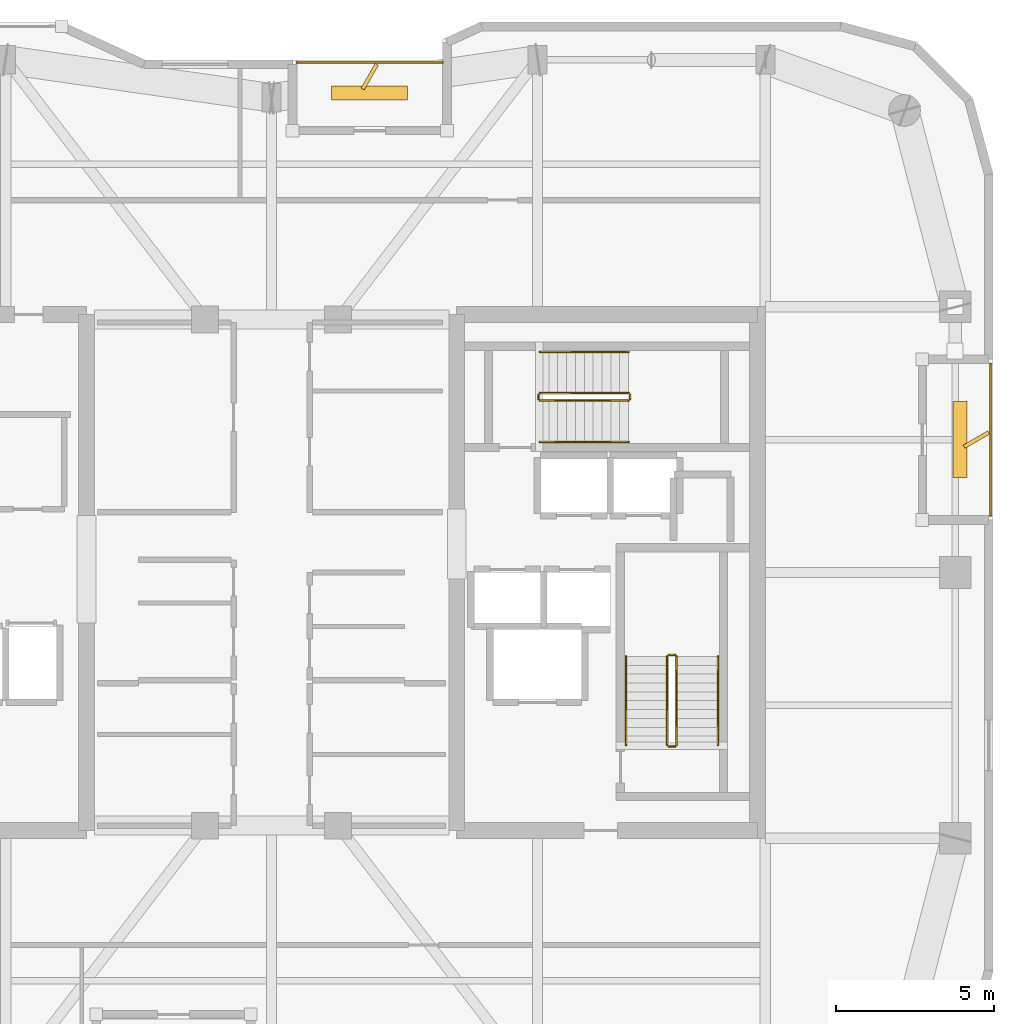
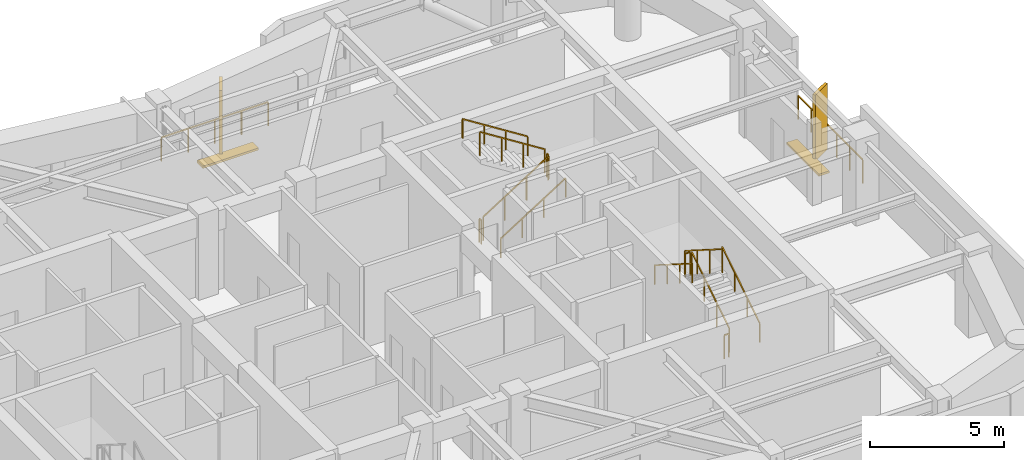
# One storey, part 15 of 15: 14 railings, 4 shading devices.
"""IFC4 building model written with IfcOpenShell, lengths in metres."""

from ifc_helpers import new_model, si_unit, direction, frame, origin, origin_2d, place, context, subcontext, project, spatial, rectangle, extrude, material, type_object, element, save


model = new_model("IFC4")

# Units and contexts
model_context = context("Model", 3, precision=1e-05, world=origin(), true_north=direction((0.0, 1.0)))
body_context = subcontext(model_context, "Body", "Model", "MODEL_VIEW")
ifc_project = project(units=[si_unit("LENGTHUNIT", "METRE"), si_unit("AREAUNIT", "SQUARE_METRE"), si_unit("VOLUMEUNIT", "CUBIC_METRE"), si_unit("PLANEANGLEUNIT", "RADIAN"), si_unit("MASSUNIT", "GRAM", prefix="KILO")], contexts=[model_context])

# Site, building, storey
site_placement = place(None, origin())
site = spatial("IfcSite", under=ifc_project, at=site_placement, CompositionType="ELEMENT")
building_placement = place(site_placement, origin())
building = spatial("IfcBuilding", under=site, at=building_placement, Name="Kiyonajd Concourse Tower", CompositionType="ELEMENT")
storey_placement = place(building_placement, frame((0.0, 0.0, 290.10009765625)))
storey = spatial("IfcBuildingStorey", under=building, at=storey_placement, Name="L73", CompositionType="ELEMENT", Elevation=290.10009765625)

# Railings
ifc_material_1 = material(Name="Thermally Broken Anodised Aluminium", Category="aluminium")
railing_type_1 = type_object("IfcRailingType", Name="RL-GRD-LOG", PredefinedType="GUARDRAIL", material=ifc_material_1)
railing_1_placement = place(storey_placement, frame((53.39990234375, 52.1201171875, 0.0)))
element("IfcRailing", 1, at=railing_1_placement, inside=storey, type_object=railing_type_1, Name="L73 Engawa Loggia Perimeter Guard LOG-N", PredefinedType="GUARDRAIL", context=body_context, shape_type="SweptSolid", body=[
    extrude(rectangle(XDim=0.048095703125, YDim=0.048095703125, at=origin_2d()), frame((0.0, 0.0, 1.076171875), z_axis=(-1.0, 0.0, 0.0), x_axis=(0.0, -1.0, 0.0)), (0.0, 0.0, 1.0), 4.599853515625),
    extrude(rectangle(XDim=0.0419921875, YDim=0.0419921875, at=origin_2d()), origin(), (0.0, 0.0, 1.0), 1.052001953125),
    extrude(rectangle(XDim=0.0419921875, YDim=0.0419921875, at=origin_2d()), frame((-1.14990234375, 0.0, 0.0)), (0.0, 0.0, 1.0), 1.052001953125),
    extrude(rectangle(XDim=0.0419921875, YDim=0.0419921875, at=origin_2d()), frame((-2.2998046875, 0.0, 0.0)), (0.0, 0.0, 1.0), 1.052001953125),
    extrude(rectangle(XDim=0.0419921875, YDim=0.0419921875, at=origin_2d()), frame((-3.449951171875, 0.0, 0.0)), (0.0, 0.0, 1.0), 1.052001953125),
    extrude(rectangle(XDim=0.0419921875, YDim=0.0419921875, at=origin_2d()), frame((-4.599853515625, 0.0, 0.0)), (0.0, 0.0, 1.0), 1.052001953125),
])
railing_2_placement = place(storey_placement, frame((70.719970703125, 37.800048828125, 0.0)))
element("IfcRailing", 2, at=railing_2_placement, inside=storey, type_object=railing_type_1, Name="L73 Engawa Loggia Perimeter Guard LOG-E", PredefinedType="GUARDRAIL", context=body_context, shape_type="SweptSolid", body=[
    extrude(rectangle(XDim=0.048095703125, YDim=0.048095703125, at=origin_2d()), frame((0.0, 0.0, 1.076171875), z_axis=(0.0, 1.0, 0.0), x_axis=(-1.0, 0.0, 0.0)), (0.0, 0.0, 1.0), 4.800048828125),
    extrude(rectangle(XDim=0.0419921875, YDim=0.0419921875, at=origin_2d()), origin(), (0.0, 0.0, 1.0), 1.052001953125),
    extrude(rectangle(XDim=0.0419921875, YDim=0.0419921875, at=origin_2d()), frame((0.0, 0.9599609375, 0.0)), (0.0, 0.0, 1.0), 1.052001953125),
    extrude(rectangle(XDim=0.0419921875, YDim=0.0419921875, at=origin_2d()), frame((0.0, 1.919921875, 0.0)), (0.0, 0.0, 1.0), 1.052001953125),
    extrude(rectangle(XDim=0.0419921875, YDim=0.0419921875, at=origin_2d()), frame((0.0, 2.880126953125, 0.0)), (0.0, 0.0, 1.0), 1.052001953125),
    extrude(rectangle(XDim=0.0419921875, YDim=0.0419921875, at=origin_2d()), frame((0.0, 3.840087890625, 0.0)), (0.0, 0.0, 1.0), 1.052001953125),
    extrude(rectangle(XDim=0.0419921875, YDim=0.0419921875, at=origin_2d()), frame((0.0, 4.800048828125, 0.0)), (0.0, 0.0, 1.0), 1.052001953125),
])
ifc_material_2 = material(Name="Steel ASTM A500 Grade C", Category="steel")
railing_type_2 = type_object("IfcRailingType", Name="RL-GRD-STR", PredefinedType="GUARDRAIL", material=ifc_material_2)
railing_3_placement = place(storey_placement, frame((60.800048828125, 30.550048828125, 0.17724609375)))
element("IfcRailing", 3, at=railing_3_placement, inside=storey, type_object=railing_type_2, Name="L73 ST2 stair guard 1", PredefinedType="GUARDRAIL", context=body_context, shape_type="SweptSolid", body=[
    extrude(rectangle(XDim=0.048095703125, YDim=0.048095703125, at=origin_2d()), frame((0.0, 0.0, 1.076171875), z_axis=(0.0, 0.844908973607, 0.534910110503), x_axis=(-1.0, 0.0, 0.0)), (0.0, 0.0, 1.0), 3.31396484375),
    extrude(rectangle(XDim=0.0419921875, YDim=0.0419921875, at=origin_2d()), origin(), (0.0, 0.0, 1.0), 1.052001953125),
    extrude(rectangle(XDim=0.0419921875, YDim=0.0419921875, at=origin_2d()), frame((0.0, 0.933349609375, 0.5908203125)), (0.0, 0.0, 1.0), 1.052001953125),
    extrude(rectangle(XDim=0.0419921875, YDim=0.0419921875, at=origin_2d()), frame((0.0, 1.86669921875, 1.181884765625)), (0.0, 0.0, 1.0), 1.052001953125),
    extrude(rectangle(XDim=0.0419921875, YDim=0.0419921875, at=origin_2d()), frame((0.0, 2.800048828125, 1.772705078125)), (0.0, 0.0, 1.0), 1.052001953125),
])
railing_4_placement = place(storey_placement, frame((60.75, 33.39990234375, 1.949951171875)))
element("IfcRailing", 4, at=railing_4_placement, inside=storey, type_object=railing_type_2, Name="L73 ST2 stair guard 2", PredefinedType="GUARDRAIL", context=body_context, shape_type="SweptSolid", body=[
    extrude(rectangle(XDim=0.048095703125, YDim=0.048095703125, at=origin_2d()), frame((0.0, 0.0, 1.076171875), z_axis=(-1.0, 0.0, 0.0), x_axis=(0.0, -1.0, 0.0)), (0.0, 0.0, 1.0), 0.199951171875),
    extrude(rectangle(XDim=0.0419921875, YDim=0.0419921875, at=origin_2d()), origin(), (0.0, 0.0, 1.0), 1.052001953125),
    extrude(rectangle(XDim=0.0419921875, YDim=0.0419921875, at=origin_2d()), frame((-0.199951171875, 0.0, 0.0)), (0.0, 0.0, 1.0), 1.052001953125),
])
railing_5_placement = place(storey_placement, frame((60.5, 33.35009765625, 2.127197265625)))
element("IfcRailing", 5, at=railing_5_placement, inside=storey, type_object=railing_type_2, Name="L73 ST2 stair guard 3", PredefinedType="GUARDRAIL", context=body_context, shape_type="SweptSolid", body=[
    extrude(rectangle(XDim=0.048095703125, YDim=0.048095703125, at=origin_2d()), frame((0.0, 0.0, 1.076171875), z_axis=(0.0, -0.844908973607, 0.534910110503), x_axis=(1.0, 0.0, 0.0)), (0.0, 0.0, 1.0), 3.31396484375),
    extrude(rectangle(XDim=0.0419921875, YDim=0.0419921875, at=origin_2d()), origin(), (0.0, 0.0, 1.0), 1.052001953125),
    extrude(rectangle(XDim=0.0419921875, YDim=0.0419921875, at=origin_2d()), frame((0.0, -0.933349609375, 0.5908203125)), (0.0, 0.0, 1.0), 1.052001953125),
    extrude(rectangle(XDim=0.0419921875, YDim=0.0419921875, at=origin_2d()), frame((0.0, -1.86669921875, 1.181884765625)), (0.0, 0.0, 1.0), 1.052001953125),
    extrude(rectangle(XDim=0.0419921875, YDim=0.0419921875, at=origin_2d()), frame((0.0, -2.800048828125, 1.772705078125)), (0.0, 0.0, 1.0), 1.052001953125),
])
railing_6_placement = place(storey_placement, frame((60.75, 30.5, 0.0)))
element("IfcRailing", 6, at=railing_6_placement, inside=storey, type_object=railing_type_2, Name="L73 ST2 stair guard 4", PredefinedType="GUARDRAIL", context=body_context, shape_type="SweptSolid", body=[
    extrude(rectangle(XDim=0.048095703125, YDim=0.048095703125, at=origin_2d()), frame((0.0, 0.0, 1.076171875), z_axis=(-1.0, 0.0, 0.0), x_axis=(0.0, -1.0, 0.0)), (0.0, 0.0, 1.0), 0.199951171875),
    extrude(rectangle(XDim=0.0419921875, YDim=0.0419921875, at=origin_2d()), origin(), (0.0, 0.0, 1.0), 1.052001953125),
    extrude(rectangle(XDim=0.0419921875, YDim=0.0419921875, at=origin_2d()), frame((-0.199951171875, 0.0, 0.0)), (0.0, 0.0, 1.0), 1.052001953125),
])
railing_7_placement = place(storey_placement, frame((56.47998046875, 41.429931640625, 0.17724609375)))
element("IfcRailing", 7, at=railing_7_placement, inside=storey, type_object=railing_type_2, Name="L73 ST3 stair guard 1", PredefinedType="GUARDRAIL", context=body_context, shape_type="SweptSolid", body=[
    extrude(rectangle(XDim=0.048095703125, YDim=0.048095703125, at=origin_2d()), frame((0.0, 0.0, 1.076171875), z_axis=(0.844908973607, 0.0, 0.534910110503), x_axis=(0.0, 1.0, 0.0)), (0.0, 0.0, 1.0), 3.31396484375),
    extrude(rectangle(XDim=0.0419921875, YDim=0.0419921875, at=origin_2d()), origin(), (0.0, 0.0, 1.0), 1.052001953125),
    extrude(rectangle(XDim=0.0419921875, YDim=0.0419921875, at=origin_2d()), frame((0.933349609375, 0.0, 0.5908203125)), (0.0, 0.0, 1.0), 1.052001953125),
    extrude(rectangle(XDim=0.0419921875, YDim=0.0419921875, at=origin_2d()), frame((1.86669921875, 0.0, 1.181884765625)), (0.0, 0.0, 1.0), 1.052001953125),
    extrude(rectangle(XDim=0.0419921875, YDim=0.0419921875, at=origin_2d()), frame((2.800048828125, 0.0, 1.772705078125)), (0.0, 0.0, 1.0), 1.052001953125),
])
railing_8_placement = place(storey_placement, frame((59.330078125, 41.47998046875, 1.949951171875)))
element("IfcRailing", 8, at=railing_8_placement, inside=storey, type_object=railing_type_2, Name="L73 ST3 stair guard 2", PredefinedType="GUARDRAIL", context=body_context, shape_type="SweptSolid", body=[
    extrude(rectangle(XDim=0.048095703125, YDim=0.048095703125, at=origin_2d()), frame((0.0, 0.0, 1.076171875), z_axis=(0.0, 1.0, 0.0), x_axis=(-1.0, 0.0, 0.0)), (0.0, 0.0, 1.0), 0.14013671875),
    extrude(rectangle(XDim=0.0419921875, YDim=0.0419921875, at=origin_2d()), origin(), (0.0, 0.0, 1.0), 1.052001953125),
    extrude(rectangle(XDim=0.0419921875, YDim=0.0419921875, at=origin_2d()), frame((0.0, 0.14013671875, 0.0)), (0.0, 0.0, 1.0), 1.052001953125),
])
railing_9_placement = place(storey_placement, frame((59.280029296875, 41.669921875, 2.127197265625)))
element("IfcRailing", 9, at=railing_9_placement, inside=storey, type_object=railing_type_2, Name="L73 ST3 stair guard 3", PredefinedType="GUARDRAIL", context=body_context, shape_type="SweptSolid", body=[
    extrude(rectangle(XDim=0.048095703125, YDim=0.048095703125, at=origin_2d()), frame((0.0, 0.0, 1.076171875), z_axis=(-0.844908973607, 0.0, 0.534910110503), x_axis=(0.0, -1.0, 0.0)), (0.0, 0.0, 1.0), 3.31396484375),
    extrude(rectangle(XDim=0.0419921875, YDim=0.0419921875, at=origin_2d()), origin(), (0.0, 0.0, 1.0), 1.052001953125),
    extrude(rectangle(XDim=0.0419921875, YDim=0.0419921875, at=origin_2d()), frame((-0.933349609375, 0.0, 0.5908203125)), (0.0, 0.0, 1.0), 1.052001953125),
    extrude(rectangle(XDim=0.0419921875, YDim=0.0419921875, at=origin_2d()), frame((-1.86669921875, 0.0, 1.181884765625)), (0.0, 0.0, 1.0), 1.052001953125),
    extrude(rectangle(XDim=0.0419921875, YDim=0.0419921875, at=origin_2d()), frame((-2.800048828125, 0.0, 1.772705078125)), (0.0, 0.0, 1.0), 1.052001953125),
])
railing_10_placement = place(storey_placement, frame((56.429931640625, 41.47998046875, 0.0)))
element("IfcRailing", 10, at=railing_10_placement, inside=storey, type_object=railing_type_2, Name="L73 ST3 stair guard 4", PredefinedType="GUARDRAIL", context=body_context, shape_type="SweptSolid", body=[
    extrude(rectangle(XDim=0.048095703125, YDim=0.048095703125, at=origin_2d()), frame((0.0, 0.0, 1.076171875), z_axis=(0.0, 1.0, 0.0), x_axis=(-1.0, 0.0, 0.0)), (0.0, 0.0, 1.0), 0.14013671875),
    extrude(rectangle(XDim=0.0419921875, YDim=0.0419921875, at=origin_2d()), origin(), (0.0, 0.0, 1.0), 1.052001953125),
    extrude(rectangle(XDim=0.0419921875, YDim=0.0419921875, at=origin_2d()), frame((0.0, 0.14013671875, 0.0)), (0.0, 0.0, 1.0), 1.052001953125),
])
ifc_material_3 = material(Name="Brushed Stainless Steel Cab Assembly", Category="steel")
railing_type_3 = type_object("IfcRailingType", Name="RL-HND-900", PredefinedType="HANDRAIL", material=ifc_material_3)
railing_11_placement = place(storey_placement, frame((62.10009765625, 30.550048828125, 0.17724609375)))
element("IfcRailing", 11, at=railing_11_placement, inside=storey, type_object=railing_type_3, Name="L73 ST2 stair handrail 1", PredefinedType="HANDRAIL", context=body_context, shape_type="SweptSolid", body=[
    extrude(rectangle(XDim=0.048095703125, YDim=0.048095703125, at=origin_2d()), frame((0.0, 0.0, 0.8759765625), z_axis=(0.0, 0.844908973607, 0.534910110503), x_axis=(-1.0, 0.0, 0.0)), (0.0, 0.0, 1.0), 3.31396484375),
    extrude(rectangle(XDim=0.0419921875, YDim=0.0419921875, at=origin_2d()), origin(), (0.0, 0.0, 1.0), 0.851806640625),
    extrude(rectangle(XDim=0.0419921875, YDim=0.0419921875, at=origin_2d()), frame((0.0, 0.933349609375, 0.5908203125)), (0.0, 0.0, 1.0), 0.851806640625),
    extrude(rectangle(XDim=0.0419921875, YDim=0.0419921875, at=origin_2d()), frame((0.0, 1.86669921875, 1.181884765625)), (0.0, 0.0, 1.0), 0.851806640625),
    extrude(rectangle(XDim=0.0419921875, YDim=0.0419921875, at=origin_2d()), frame((0.0, 2.800048828125, 1.772705078125)), (0.0, 0.0, 1.0), 0.851806640625),
])
railing_12_placement = place(storey_placement, frame((59.199951171875, 33.35009765625, 2.127197265625)))
element("IfcRailing", 12, at=railing_12_placement, inside=storey, type_object=railing_type_3, Name="L73 ST2 stair handrail 2", PredefinedType="HANDRAIL", context=body_context, shape_type="SweptSolid", body=[
    extrude(rectangle(XDim=0.048095703125, YDim=0.048095703125, at=origin_2d()), frame((0.0, 0.0, 0.8759765625), z_axis=(0.0, -0.844908973607, 0.534910110503), x_axis=(1.0, 0.0, 0.0)), (0.0, 0.0, 1.0), 3.31396484375),
    extrude(rectangle(XDim=0.0419921875, YDim=0.0419921875, at=origin_2d()), origin(), (0.0, 0.0, 1.0), 0.851806640625),
    extrude(rectangle(XDim=0.0419921875, YDim=0.0419921875, at=origin_2d()), frame((0.0, -0.933349609375, 0.5908203125)), (0.0, 0.0, 1.0), 0.851806640625),
    extrude(rectangle(XDim=0.0419921875, YDim=0.0419921875, at=origin_2d()), frame((0.0, -1.86669921875, 1.181884765625)), (0.0, 0.0, 1.0), 0.851806640625),
    extrude(rectangle(XDim=0.0419921875, YDim=0.0419921875, at=origin_2d()), frame((0.0, -2.800048828125, 1.772705078125)), (0.0, 0.0, 1.0), 0.851806640625),
])
railing_13_placement = place(storey_placement, frame((56.47998046875, 40.1298828125, 0.17724609375)))
element("IfcRailing", 13, at=railing_13_placement, inside=storey, type_object=railing_type_3, Name="L73 ST3 stair handrail 1", PredefinedType="HANDRAIL", context=body_context, shape_type="SweptSolid", body=[
    extrude(rectangle(XDim=0.048095703125, YDim=0.048095703125, at=origin_2d()), frame((0.0, 0.0, 0.8759765625), z_axis=(0.844908973607, 0.0, 0.534910110503), x_axis=(0.0, 1.0, 0.0)), (0.0, 0.0, 1.0), 3.31396484375),
    extrude(rectangle(XDim=0.0419921875, YDim=0.0419921875, at=origin_2d()), origin(), (0.0, 0.0, 1.0), 0.851806640625),
    extrude(rectangle(XDim=0.0419921875, YDim=0.0419921875, at=origin_2d()), frame((0.933349609375, 0.0, 0.5908203125)), (0.0, 0.0, 1.0), 0.851806640625),
    extrude(rectangle(XDim=0.0419921875, YDim=0.0419921875, at=origin_2d()), frame((1.86669921875, 0.0, 1.181884765625)), (0.0, 0.0, 1.0), 0.851806640625),
    extrude(rectangle(XDim=0.0419921875, YDim=0.0419921875, at=origin_2d()), frame((2.800048828125, 0.0, 1.772705078125)), (0.0, 0.0, 1.0), 0.851806640625),
])
railing_14_placement = place(storey_placement, frame((59.280029296875, 42.969970703125, 2.127197265625)))
element("IfcRailing", 14, at=railing_14_placement, inside=storey, type_object=railing_type_3, Name="L73 ST3 stair handrail 2", PredefinedType="HANDRAIL", context=body_context, shape_type="SweptSolid", body=[
    extrude(rectangle(XDim=0.048095703125, YDim=0.048095703125, at=origin_2d()), frame((0.0, 0.0, 0.8759765625), z_axis=(-0.844908973607, 0.0, 0.534910110503), x_axis=(0.0, -1.0, 0.0)), (0.0, 0.0, 1.0), 3.31396484375),
    extrude(rectangle(XDim=0.0419921875, YDim=0.0419921875, at=origin_2d()), origin(), (0.0, 0.0, 1.0), 0.851806640625),
    extrude(rectangle(XDim=0.0419921875, YDim=0.0419921875, at=origin_2d()), frame((-0.933349609375, 0.0, 0.5908203125)), (0.0, 0.0, 1.0), 0.851806640625),
    extrude(rectangle(XDim=0.0419921875, YDim=0.0419921875, at=origin_2d()), frame((-1.86669921875, 0.0, 1.181884765625)), (0.0, 0.0, 1.0), 0.851806640625),
    extrude(rectangle(XDim=0.0419921875, YDim=0.0419921875, at=origin_2d()), frame((-2.800048828125, 0.0, 1.772705078125)), (0.0, 0.0, 1.0), 0.851806640625),
])

# Shading devices
ifc_material_4 = material(Name="Precast concrete C50/60", Category="concrete")
shading_device_type_1 = type_object("IfcShadingDeviceType", Name="SH-FIN-900", PredefinedType="USERDEFINED", material=ifc_material_4)
for number, where, z_axis, x_axis, name in (
    (15, (51.10009765625, 51.669921875, 0.0), (0.0, 0.0, 1.0), (0.5, 0.866025403784, 0.0), "L73 Angled Koshi Solar Fin LOG-N"),
    (16, (70.27001953125, 40.199951171875, 0.0), (0.0, 0.0, 1.0), (0.866025403784, 0.5, 0.0), "L73 Angled Koshi Solar Fin LOG-E"),
):
    element("IfcShadingDevice", number, at=place(storey_placement, frame(where, z_axis=z_axis, x_axis=x_axis)), inside=storey, type_object=shading_device_type_1, Name=name, ObjectType="FIN", PredefinedType="USERDEFINED", context=body_context, shape_type="SweptSolid", body=[
        extrude(rectangle(XDim=0.89990234375, YDim=0.1201171875, at=origin_2d()), origin(), (0.0, 0.0, 1.0), 3.0),
    ])
shading_device_type_2 = type_object("IfcShadingDeviceType", Name="SH-LVR-600", PredefinedType="JALOUSIE", material=ifc_material_1)
for number, where, z_axis, x_axis, name in (
    (17, (51.10009765625, 51.14990234375, -0.000244140625), (0.0, 0.0, 1.0), (1.0, 0.0, 0.0), "L73 Loggia Threshold Louver LOG-N"),
    (18, (69.75, 40.199951171875, -0.000244140625), (0.0, 0.0, 1.0), (0.0, 1.0, 0.0), "L73 Loggia Threshold Louver LOG-E"),
):
    element("IfcShadingDevice", number, at=place(storey_placement, frame(where, z_axis=z_axis, x_axis=x_axis)), inside=storey, type_object=shading_device_type_2, Name=name, PredefinedType="JALOUSIE", context=body_context, shape_type="SweptSolid", body=[
        extrude(rectangle(XDim=2.39990234375, YDim=0.449951171875, at=origin_2d()), origin(), (0.0, 0.0, 1.0), 0.10009765625),
    ])

save(model, "model.ifc")
